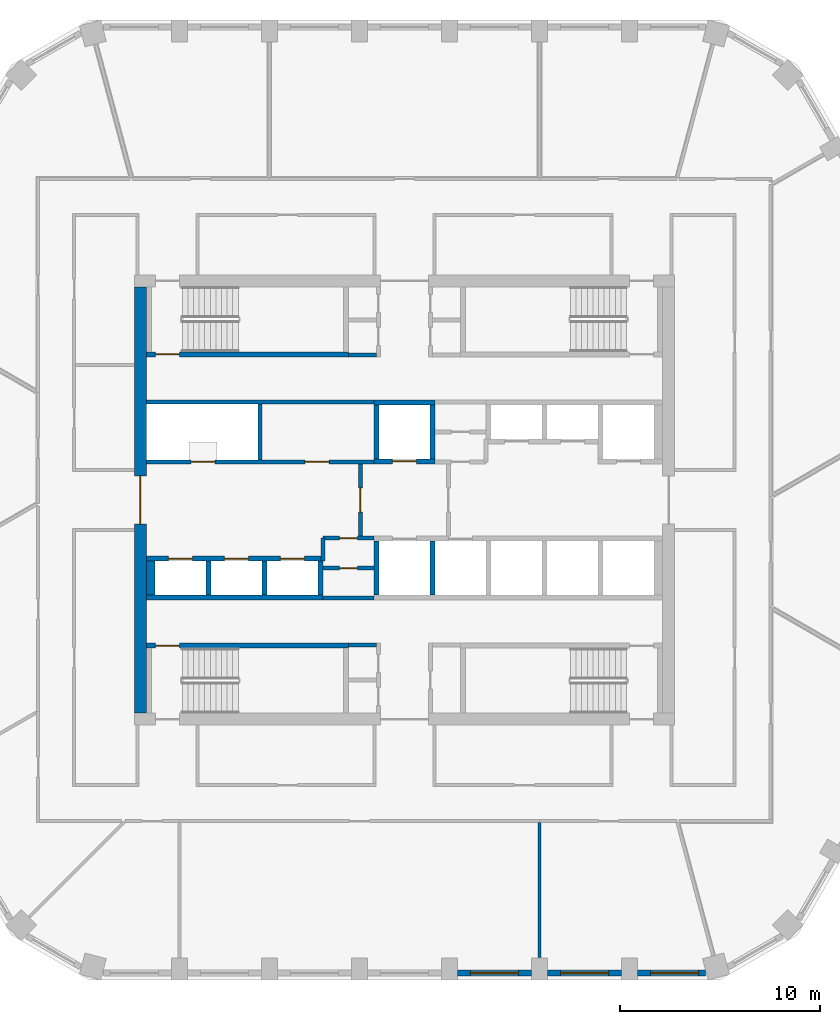
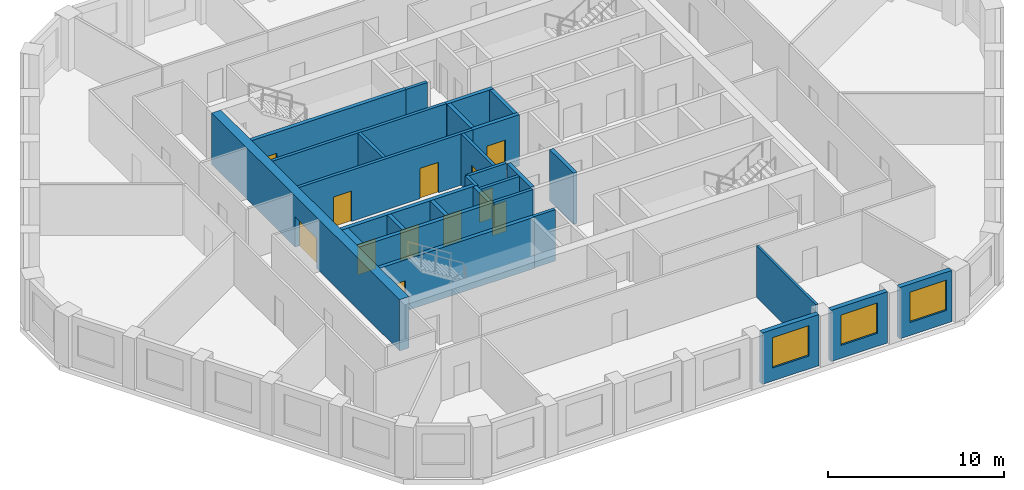
# One storey, part 3 of 13: 29 walls, 12 doors, 3 windows, 15 openings.
"""IFC4 building model written with IfcOpenShell, lengths in metres."""

from ifc_helpers import new_model, si_unit, direction, frame, frame_2d, origin, place, context, subcontext, project, spatial, polyline, rectangle, outline, extrude, material, layer, layer_set, type_object, element, fill, save


model = new_model("IFC4")

# Units and contexts
model_context = context("Model", 3, precision=1e-05, world=origin(), true_north=direction((0.0, 1.0)))
body_context = subcontext(model_context, "Body", "Model", "MODEL_VIEW")
ifc_project = project(units=[si_unit("LENGTHUNIT", "METRE"), si_unit("AREAUNIT", "SQUARE_METRE"), si_unit("VOLUMEUNIT", "CUBIC_METRE"), si_unit("PLANEANGLEUNIT", "RADIAN"), si_unit("MASSUNIT", "GRAM", prefix="KILO")], contexts=[model_context])

# Site, building, storey
site_placement = place(None, origin())
site = spatial("IfcSite", under=ifc_project, at=site_placement, CompositionType="ELEMENT")
building_placement = place(site_placement, origin())
building = spatial("IfcBuilding", under=site, at=building_placement, Name="Dhurran Vertical Campus", CompositionType="ELEMENT")
storey_placement = place(building_placement, frame((0.0, 0.0, 191.699951171875)))
storey = spatial("IfcBuildingStorey", under=building, at=storey_placement, Name="L47", CompositionType="ELEMENT", Elevation=191.699951171875)

# Wall, opening, window
ifc_material_1 = material(Name="Precast concrete C50/60", Category="concrete")
ifc_layer_1 = layer(ifc_material_1, 0.300048828125)
ifc_layer_set_1 = layer_set([ifc_layer_1], Name="Precast concrete C50/60")
wall_type_1 = type_object("IfcWallType", Name="Precast spandrel wall 300", PredefinedType="SOLIDWALL", material=ifc_layer_set_1)
wall_1_placement = place(storey_placement, frame((2.650390625, -23.635498046875, 0.0), z_axis=(0.0, 0.0, 1.0), x_axis=(1.0, 0.0, 0.0)))
wall_1 = element("IfcWall", 1, at=wall_1_placement, inside=storey, type_object=wall_type_1, Name="EW1 L47.04", PredefinedType="SOLIDWALL", context=body_context, shape_type="SweptSolid", body=[
    extrude(rectangle(XDim=3.69921875, YDim=0.300048828125, at=frame_2d((1.849609375, 0.0))), origin(), (0.0, 0.0, 1.0), 3.550048828125),
])
opening_1_placement = place(wall_1_placement, frame((0.6494140625, 0.0, 0.89990234375)))
opening_1 = element("IfcOpeningElement", 2, at=opening_1_placement, cuts=wall_1, Name="Opening WT1", PredefinedType="OPENING", context=body_context, shape_type="SweptSolid", body=[
    extrude(rectangle(XDim=2.39990234375, YDim=2.10009765625, at=frame_2d((1.199951171875, 1.050048828125))), frame((0.0, 0.159912109375, 0.0), z_axis=(0.0, -1.0, 0.0), x_axis=(1.0, 0.0, 0.0)), (0.0, 0.0, 1.0), 0.320068359375),
])
ifc_material_2 = material(Name="Aluminium frame with solar-control glass", Category="aluminium")
window_type = type_object("IfcWindowType", Name="Punched window 2400 x 2100", PartitioningType="SINGLE_PANEL", PredefinedType="WINDOW", material=ifc_material_2)
window_1_placement = place(opening_1_placement, origin())
window_1 = element("IfcWindow", 3, at=window_1_placement, inside=storey, type_object=window_type, Name="WT1 L47.04", OverallHeight=2.10009765625, OverallWidth=2.39990234375, PartitioningType="SINGLE_PANEL", PredefinedType="WINDOW", context=body_context, shape_type="SweptSolid", body=[
    extrude(rectangle(XDim=2.39990234375, YDim=2.10009765625, at=frame_2d((1.199951171875, 1.050048828125))), frame((0.0, 0.030029296875, 0.0), z_axis=(0.0, -1.0, 0.0), x_axis=(1.0, 0.0, 0.0)), (0.0, 0.0, 1.0), 0.06005859375),
])
fill(opening_1, window_1)

wall_2_placement = place(storey_placement, frame((7.150390625, -23.635498046875, 0.0), z_axis=(0.0, 0.0, 1.0), x_axis=(1.0, 0.0, 0.0)))
wall_2 = element("IfcWall", 4, at=wall_2_placement, inside=storey, type_object=wall_type_1, Name="EW1 L47.05", PredefinedType="SOLIDWALL", context=body_context, shape_type="SweptSolid", body=[
    extrude(rectangle(XDim=3.69921875, YDim=0.300048828125, at=frame_2d((1.849609375, 0.0))), origin(), (0.0, 0.0, 1.0), 3.550048828125),
])
opening_2_placement = place(wall_2_placement, frame((0.6494140625, 0.0, 0.89990234375)))
opening_2 = element("IfcOpeningElement", 5, at=opening_2_placement, cuts=wall_2, Name="Opening WT1", PredefinedType="OPENING", context=body_context, shape_type="SweptSolid", body=[
    extrude(rectangle(XDim=2.39990234375, YDim=2.10009765625, at=frame_2d((1.199951171875, 1.050048828125))), frame((0.0, 0.159912109375, 0.0), z_axis=(0.0, -1.0, 0.0), x_axis=(1.0, 0.0, 0.0)), (0.0, 0.0, 1.0), 0.320068359375),
])
window_2_placement = place(opening_2_placement, origin())
window_2 = element("IfcWindow", 6, at=window_2_placement, inside=storey, type_object=window_type, Name="WT1 L47.05", OverallHeight=2.10009765625, OverallWidth=2.39990234375, PartitioningType="SINGLE_PANEL", PredefinedType="WINDOW", context=body_context, shape_type="SweptSolid", body=[
    extrude(rectangle(XDim=2.39990234375, YDim=2.10009765625, at=frame_2d((1.199951171875, 1.050048828125))), frame((0.0, 0.030029296875, 0.0), z_axis=(0.0, -1.0, 0.0), x_axis=(1.0, 0.0, 0.0)), (0.0, 0.0, 1.0), 0.06005859375),
])
fill(opening_2, window_2)

wall_3_placement = place(storey_placement, frame((11.650390625, -23.635498046875, 0.0), z_axis=(0.0, 0.0, 1.0), x_axis=(1.0, 0.0, 0.0)))
wall_3 = element("IfcWall", 7, at=wall_3_placement, inside=storey, type_object=wall_type_1, Name="EW1 L47.06", PredefinedType="SOLIDWALL", context=body_context, shape_type="SweptSolid", body=[
    extrude(rectangle(XDim=3.39599609375, YDim=0.300048828125, at=frame_2d((1.697998046875, 0.0))), origin(), (0.0, 0.0, 1.0), 3.550048828125),
])
opening_3_placement = place(wall_3_placement, frame((0.6494140625, 0.0, 0.89990234375)))
opening_3 = element("IfcOpeningElement", 8, at=opening_3_placement, cuts=wall_3, Name="Opening WT1", PredefinedType="OPENING", context=body_context, shape_type="SweptSolid", body=[
    extrude(rectangle(XDim=2.39990234375, YDim=2.10009765625, at=frame_2d((1.199951171875, 1.050048828125))), frame((0.0, 0.159912109375, 0.0), z_axis=(0.0, -1.0, 0.0), x_axis=(1.0, 0.0, 0.0)), (0.0, 0.0, 1.0), 0.320068359375),
])
window_3_placement = place(opening_3_placement, origin())
window_3 = element("IfcWindow", 9, at=window_3_placement, inside=storey, type_object=window_type, Name="WT1 L47.06", OverallHeight=2.10009765625, OverallWidth=2.39990234375, PartitioningType="SINGLE_PANEL", PredefinedType="WINDOW", context=body_context, shape_type="SweptSolid", body=[
    extrude(rectangle(XDim=2.39990234375, YDim=2.10009765625, at=frame_2d((1.199951171875, 1.050048828125))), frame((0.0, 0.030029296875, 0.0), z_axis=(0.0, -1.0, 0.0), x_axis=(1.0, 0.0, 0.0)), (0.0, 0.0, 1.0), 0.06005859375),
])
fill(opening_3, window_3)

# Wall, opening, door
ifc_material_3 = material(Name="Concrete C50/60", Category="concrete")
ifc_layer_2 = layer(ifc_material_3, 0.60009765625)
ifc_layer_set_2 = layer_set([ifc_layer_2], Name="Concrete C50/60")
wall_type_2 = type_object("IfcWallType", Name="co-CORE-WALL-C2-600", PredefinedType="SHEAR", material=ifc_layer_set_2)
wall_4_placement = place(storey_placement, frame((-13.199951171875, -10.64990234375, 0.0), z_axis=(0.0, 0.0, 1.0), x_axis=(0.0, 1.0, 0.0)))
wall_4 = element("IfcWall", 10, at=wall_4_placement, inside=storey, type_object=wall_type_2, Name="Core wall W L47", PredefinedType="SHEAR", context=body_context, shape_type="SweptSolid", body=[
    extrude(rectangle(XDim=21.2998046875, YDim=0.60009765625, at=frame_2d((10.64990234375, 0.0))), origin(), (0.0, 0.0, 1.0), 3.550048828125),
])
opening_4_placement = place(wall_4_placement, frame((9.449951171875, 0.0, 0.0)))
opening_4 = element("IfcOpeningElement", 11, at=opening_4_placement, cuts=wall_4, Name="Opening CL1", PredefinedType="OPENING", context=body_context, shape_type="SweptSolid", body=[
    extrude(rectangle(XDim=2.39990234375, YDim=2.10009765625, at=frame_2d((1.199951171875, 1.050048828125))), frame((0.0, 0.31005859375, 0.0), z_axis=(0.0, -1.0, 0.0), x_axis=(1.0, 0.0, 0.0)), (0.0, 0.0, 1.0), 0.6201171875),
])
ifc_material_4 = material(Name="Fire-rated glazed door set")
door_type_1 = type_object("IfcDoorType", Name="co-D-LOBBY 2400x2100", OperationType="DOUBLE_DOOR_DOUBLE_SWING", PredefinedType="DOOR", material=ifc_material_4)
door_1_placement = place(opening_4_placement, origin())
door_1 = element("IfcDoor", 12, at=door_1_placement, inside=storey, type_object=door_type_1, Name="Lift lobby door W L47", OperationType="DOUBLE_DOOR_DOUBLE_SWING", OverallHeight=2.10009765625, OverallWidth=2.39990234375, PredefinedType="DOOR", context=body_context, shape_type="SweptSolid", body=[
    extrude(rectangle(XDim=2.39990234375, YDim=2.10009765625, at=frame_2d((1.199951171875, 1.050048828125))), frame((0.0, 0.02490234375, 0.0), z_axis=(0.0, -1.0, 0.0), x_axis=(1.0, 0.0, 0.0)), (0.0, 0.0, 1.0), 0.050048828125),
])
fill(opening_4, door_1)

ifc_material_5 = material(Name="Fire-rated masonry blockwork", Category="masonry")
ifc_layer_3 = layer(ifc_material_5, 0.199951171875)
ifc_layer_set_3 = layer_set([ifc_layer_3], Name="Fire-rated masonry blockwork")
wall_type_3 = type_object("IfcWallType", Name="co-FIRE-PARTITION-200", PredefinedType="PARTITIONING", material=ifc_layer_set_3)
wall_5_placement = place(storey_placement, frame((-2.199951171875, -1.800048828125, 0.0), z_axis=(0.0, 0.0, 1.0), x_axis=(0.0, 1.0, 0.0)))
wall_5 = element("IfcWall", 13, at=wall_5_placement, inside=storey, type_object=wall_type_3, Name="Firefighting lobby wall W L47", PredefinedType="PARTITIONING", context=body_context, shape_type="SweptSolid", body=[
    extrude(rectangle(XDim=3.60009765625, YDim=0.199951171875, at=frame_2d((1.800048828125, 0.0))), origin(), (0.0, 0.0, 1.0), 3.550048828125),
])
opening_5_placement = place(wall_5_placement, frame((1.199951171875, 0.0, 0.0)))
opening_5 = element("IfcOpeningElement", 14, at=opening_5_placement, cuts=wall_5, Name="Opening FL1", PredefinedType="OPENING", context=body_context, shape_type="SweptSolid", body=[
    extrude(rectangle(XDim=1.199951171875, YDim=2.10009765625, at=frame_2d((0.60009765625, 1.050048828125))), frame((0.0, 0.10986328125, 0.0), z_axis=(0.0, -1.0, 0.0), x_axis=(1.0, 0.0, 0.0)), (0.0, 0.0, 1.0), 0.219970703125),
])
ifc_material_6 = material(Name="Fire-rated steel door set", Category="steel")
door_type_2 = type_object("IfcDoorType", Name="co-D-FFLOBBY 1200x2100", OperationType="SINGLE_SWING_LEFT", PredefinedType="DOOR", material=ifc_material_6)
door_2_placement = place(opening_5_placement, origin())
door_2 = element("IfcDoor", 15, at=door_2_placement, inside=storey, type_object=door_type_2, Name="Firefighting lobby door W L47", OperationType="SINGLE_SWING_LEFT", OverallHeight=2.10009765625, OverallWidth=1.199951171875, PredefinedType="DOOR", context=body_context, shape_type="SweptSolid", body=[
    extrude(rectangle(XDim=1.199951171875, YDim=2.10009765625, at=frame_2d((0.60009765625, 1.050048828125))), frame((0.0, 0.02490234375, 0.0), z_axis=(0.0, -1.0, 0.0), x_axis=(1.0, 0.0, 0.0)), (0.0, 0.0, 1.0), 0.050048828125),
])
fill(opening_5, door_2)

# Walls
for number, where, z_axis, x_axis, name in (
    (16, (-2.800048828125, 7.25, 0.0), (0.0, 0.0, 1.0), (1.0, 0.0, 0.0), "Core partition sl-NW-S L47"),
    (17, (-2.800048828125, -7.25, 0.0), (0.0, 0.0, 1.0), (1.0, 0.0, 0.0), "Core partition sl-SW-S L47"),
):
    element("IfcWall", number, at=place(storey_placement, frame(where, z_axis=z_axis, x_axis=x_axis)), inside=storey, type_object=wall_type_3, Name=name, PredefinedType="PARTITIONING", context=body_context, shape_type="SweptSolid", body=[
        extrude(rectangle(XDim=1.400146484375, YDim=0.199951171875, at=frame_2d((0.7001953125, 0.0))), origin(), (0.0, 0.0, 1.0), 3.550048828125),
    ])
wall_6_placement = place(storey_placement, frame((-7.21240234375, 2.0, 0.0), z_axis=(0.0, 0.0, 1.0), x_axis=(0.0, 1.0, 0.0)))
element("IfcWall", 18, at=wall_6_placement, inside=storey, type_object=wall_type_3, Name="Core partition fr-N0-cut0 L47", PredefinedType="PARTITIONING", context=body_context, shape_type="SweptSolid", body=[
    extrude(rectangle(XDim=2.800048828125, YDim=0.199951171875, at=frame_2d((1.39990234375, 0.0))), origin(), (0.0, 0.0, 1.0), 3.550048828125),
])

# Wall, openings, doors
wall_7_placement = place(storey_placement, frame((-12.89990234375, 1.89990234375, 0.0), z_axis=(0.0, 0.0, 1.0), x_axis=(1.0, 0.0, 0.0)))
wall_7 = element("IfcWall", 19, at=wall_7_placement, inside=storey, type_object=wall_type_3, Name="Core partition fr-N0-f L47", PredefinedType="PARTITIONING", context=body_context, shape_type="SweptSolid", body=[
    extrude(rectangle(XDim=11.375, YDim=0.199951171875, at=frame_2d((5.6875, 0.0))), origin(), (0.0, 0.0, 1.0), 3.550048828125),
])
opening_6_placement = place(wall_7_placement, frame((2.243896484375, 0.0, 0.0)))
opening_6 = element("IfcOpeningElement", 20, at=opening_6_placement, cuts=wall_7, Name="Opening T13-C8", PredefinedType="OPENING", context=body_context, shape_type="SweptSolid", body=[
    extrude(rectangle(XDim=1.199951171875, YDim=2.10009765625, at=frame_2d((0.60009765625, 1.050048828125))), frame((0.0, 0.10986328125, 0.0), z_axis=(0.0, -1.0, 0.0), x_axis=(1.0, 0.0, 0.0)), (0.0, 0.0, 1.0), 0.219970703125),
])
opening_7_placement = place(wall_7_placement, frame((7.931396484375, 0.0, 0.0)))
opening_7 = element("IfcOpeningElement", 21, at=opening_7_placement, cuts=wall_7, Name="Opening T13-C9", PredefinedType="OPENING", context=body_context, shape_type="SweptSolid", body=[
    extrude(rectangle(XDim=1.199951171875, YDim=2.10009765625, at=frame_2d((0.60009765625, 1.050048828125))), frame((0.0, 0.10986328125, 0.0), z_axis=(0.0, -1.0, 0.0), x_axis=(1.0, 0.0, 0.0)), (0.0, 0.0, 1.0), 0.219970703125),
])
ifc_material_7 = material(Name="Fire-rated steel door set", Category="steel")
door_type_3 = type_object("IfcDoorType", Name="co-D-ROOM-PASSAGE 1200x2100", OperationType="SINGLE_SWING_RIGHT", PredefinedType="DOOR", material=ifc_material_7)
door_3_placement = place(opening_6_placement, origin())
door_3 = element("IfcDoor", 22, at=door_3_placement, inside=storey, type_object=door_type_3, Name="Electrical riser door L47", OperationType="SINGLE_SWING_RIGHT", OverallHeight=2.10009765625, OverallWidth=1.199951171875, PredefinedType="DOOR", context=body_context, shape_type="SweptSolid", body=[
    extrude(rectangle(XDim=1.199951171875, YDim=2.10009765625, at=frame_2d((0.60009765625, 1.050048828125))), frame((0.0, 0.02490234375, 0.0), z_axis=(0.0, -1.0, 0.0), x_axis=(1.0, 0.0, 0.0)), (0.0, 0.0, 1.0), 0.050048828125),
])
fill(opening_6, door_3)
door_4_placement = place(opening_7_placement, origin())
door_4 = element("IfcDoor", 23, at=door_4_placement, inside=storey, type_object=door_type_3, Name="Server room door L47", OperationType="SINGLE_SWING_RIGHT", OverallHeight=2.10009765625, OverallWidth=1.199951171875, PredefinedType="DOOR", context=body_context, shape_type="SweptSolid", body=[
    extrude(rectangle(XDim=1.199951171875, YDim=2.10009765625, at=frame_2d((0.60009765625, 1.050048828125))), frame((0.0, 0.02490234375, 0.0), z_axis=(0.0, -1.0, 0.0), x_axis=(1.0, 0.0, 0.0)), (0.0, 0.0, 1.0), 0.050048828125),
])
fill(opening_7, door_4)

# Wall
wall_8_placement = place(storey_placement, frame((-12.89990234375, 4.89990234375, 0.0), z_axis=(0.0, 0.0, 1.0), x_axis=(1.0, 0.0, 0.0)))
element("IfcWall", 24, at=wall_8_placement, inside=storey, type_object=wall_type_3, Name="Core partition fr-N0-b L47", PredefinedType="PARTITIONING", context=body_context, shape_type="SweptSolid", body=[
    extrude(rectangle(XDim=11.375, YDim=0.199951171875, at=frame_2d((5.6875, 0.0))), origin(), (0.0, 0.0, 1.0), 3.550048828125),
])

# Wall, opening, door
wall_9_placement = place(storey_placement, frame((-4.074951171875, -3.39990234375, 0.0), z_axis=(0.0, 0.0, 1.0), x_axis=(1.0, 0.0, 0.0)))
wall_9 = element("IfcWall", 25, at=wall_9_placement, inside=storey, type_object=wall_type_3, Name="Core partition fr-S0-c L47", PredefinedType="PARTITIONING", context=body_context, shape_type="SweptSolid", body=[
    extrude(rectangle(XDim=2.550048828125, YDim=0.199951171875, at=frame_2d((1.27490234375, 0.0))), origin(), (0.0, 0.0, 1.0), 3.550048828125),
])
opening_8_placement = place(wall_9_placement, frame((0.824951171875, 0.0, 0.0)))
opening_8 = element("IfcOpeningElement", 26, at=opening_8_placement, cuts=wall_9, Name="Opening T13-C12", PredefinedType="OPENING", context=body_context, shape_type="SweptSolid", body=[
    extrude(rectangle(XDim=0.89990234375, YDim=2.10009765625, at=frame_2d((0.449951171875, 1.050048828125))), frame((0.0, 0.10986328125, 0.0), z_axis=(0.0, -1.0, 0.0), x_axis=(1.0, 0.0, 0.0)), (0.0, 0.0, 1.0), 0.219970703125),
])
ifc_material_8 = material(Name="Fire-rated timber door set", Category="wood")
door_type_4 = type_object("IfcDoorType", Name="co-D-ROOM 900x2100", OperationType="SINGLE_SWING_LEFT", PredefinedType="DOOR", material=ifc_material_8)
door_5_placement = place(opening_8_placement, origin())
door_5 = element("IfcDoor", 27, at=door_5_placement, inside=storey, type_object=door_type_4, Name="Server room door L47", OperationType="SINGLE_SWING_LEFT", OverallHeight=2.10009765625, OverallWidth=0.89990234375, PredefinedType="DOOR", context=body_context, shape_type="SweptSolid", body=[
    extrude(rectangle(XDim=0.89990234375, YDim=2.10009765625, at=frame_2d((0.449951171875, 1.050048828125))), frame((0.0, 0.02490234375, 0.0), z_axis=(0.0, -1.0, 0.0), x_axis=(1.0, 0.0, 0.0)), (0.0, 0.0, 1.0), 0.050048828125),
])
fill(opening_8, door_5)

wall_10_placement = place(storey_placement, frame((-4.074951171875, -1.89990234375, 0.0), z_axis=(0.0, 0.0, 1.0), x_axis=(1.0, 0.0, 0.0)))
wall_10 = element("IfcWall", 28, at=wall_10_placement, inside=storey, type_object=wall_type_3, Name="Core partition fr-S0-f L47", PredefinedType="PARTITIONING", context=body_context, shape_type="SweptSolid", body=[
    extrude(rectangle(XDim=2.550048828125, YDim=0.199951171875, at=frame_2d((1.27490234375, 0.0))), origin(), (0.0, 0.0, 1.0), 3.550048828125),
])
opening_9_placement = place(wall_10_placement, frame((0.824951171875, 0.0, 0.0)))
opening_9 = element("IfcOpeningElement", 29, at=opening_9_placement, cuts=wall_10, Name="Opening T13-C13", PredefinedType="OPENING", context=body_context, shape_type="SweptSolid", body=[
    extrude(rectangle(XDim=0.89990234375, YDim=2.10009765625, at=frame_2d((0.449951171875, 1.050048828125))), frame((0.0, 0.10986328125, 0.0), z_axis=(0.0, -1.0, 0.0), x_axis=(1.0, 0.0, 0.0)), (0.0, 0.0, 1.0), 0.219970703125),
])
door_6_placement = place(opening_9_placement, origin())
door_6 = element("IfcDoor", 30, at=door_6_placement, inside=storey, type_object=door_type_4, Name="Print room door L47", OperationType="SINGLE_SWING_LEFT", OverallHeight=2.10009765625, OverallWidth=0.89990234375, PredefinedType="DOOR", context=body_context, shape_type="SweptSolid", body=[
    extrude(rectangle(XDim=0.89990234375, YDim=2.10009765625, at=frame_2d((0.449951171875, 1.050048828125))), frame((0.0, 0.02490234375, 0.0), z_axis=(0.0, -1.0, 0.0), x_axis=(1.0, 0.0, 0.0)), (0.0, 0.0, 1.0), 0.050048828125),
])
fill(opening_9, door_6)

# Walls
wall_11_placement = place(storey_placement, frame((-4.074951171875, -4.89990234375, 0.0), z_axis=(0.0, 0.0, 1.0), x_axis=(1.0, 0.0, 0.0)))
element("IfcWall", 31, at=wall_11_placement, inside=storey, type_object=wall_type_3, Name="Core partition fr-S0-b L47", PredefinedType="PARTITIONING", context=body_context, shape_type="SweptSolid", body=[
    extrude(rectangle(XDim=2.550048828125, YDim=0.199951171875, at=frame_2d((1.27490234375, 0.0))), origin(), (0.0, 0.0, 1.0), 3.550048828125),
])
wall_12_placement = place(storey_placement, frame((-4.074951171875, -1.89990234375, 0.0), z_axis=(0.0, 0.0, 1.0), x_axis=(0.0, -1.0, 0.0)))
element("IfcWall", 32, at=wall_12_placement, inside=storey, type_object=wall_type_3, Name="Core partition fr-S0-n0 L47", PredefinedType="PARTITIONING", context=body_context, shape_type="SweptSolid", body=[
    extrude(rectangle(XDim=1.150146484375, YDim=0.199951171875, at=frame_2d((0.5751953125, 0.0))), origin(), (0.0, 0.0, 1.0), 3.550048828125),
])

# Wall, opening, door
ifc_material_9 = material(Name="Concrete C50/60", Category="concrete")
ifc_layer_4 = layer(ifc_material_9, 0.25)
ifc_layer_set_4 = layer_set([ifc_layer_4], Name="Concrete C50/60")
wall_type_4 = type_object("IfcWallType", Name="co-SHAFT-FRONT-250", PredefinedType="SHEAR", material=ifc_layer_set_4)
wall_13_placement = place(storey_placement, frame((-1.52490234375, 1.925048828125, 0.0), z_axis=(0.0, 0.0, 1.0), x_axis=(1.0, 0.0, 0.0)))
wall_13 = element("IfcWall", 33, at=wall_13_placement, inside=storey, type_object=wall_type_4, Name="Lift landing wall N L47", PredefinedType="SHEAR", context=body_context, shape_type="SweptSolid", body=[
    extrude(rectangle(XDim=3.0498046875, YDim=0.25, at=frame_2d((1.52490234375, 0.0))), origin(), (0.0, 0.0, 1.0), 3.550048828125),
])
opening_10_placement = place(wall_13_placement, frame((0.925048828125, 0.0, 0.0)))
opening_10 = element("IfcOpeningElement", 34, at=opening_10_placement, cuts=wall_13, Name="Opening LD", PredefinedType="OPENING", context=body_context, shape_type="SweptSolid", body=[
    extrude(rectangle(XDim=1.199951171875, YDim=2.10009765625, at=frame_2d((0.60009765625, 1.050048828125))), frame((0.0, 0.135009765625, 0.0), z_axis=(0.0, -1.0, 0.0), x_axis=(1.0, 0.0, 0.0)), (0.0, 0.0, 1.0), 0.27001953125),
])
ifc_material_10 = material(Name="Stainless steel landing door", Category="steel")
door_type_5 = type_object("IfcDoorType", Name="co-D-LANDING 1200x2100", OperationType="DOUBLE_DOOR_SLIDING", PredefinedType="DOOR", material=ifc_material_10)
door_7_placement = place(opening_10_placement, origin())
door_7 = element("IfcDoor", 35, at=door_7_placement, inside=storey, type_object=door_type_5, Name="Landing door FF1 L47", OperationType="DOUBLE_DOOR_SLIDING", OverallHeight=2.10009765625, OverallWidth=1.199951171875, PredefinedType="DOOR", context=body_context, shape_type="SweptSolid", body=[
    extrude(rectangle(XDim=1.199951171875, YDim=2.10009765625, at=frame_2d((0.60009765625, 1.050048828125))), frame((0.0, 0.02490234375, 0.0), z_axis=(0.0, -1.0, 0.0), x_axis=(1.0, 0.0, 0.0)), (0.0, 0.0, 1.0), 0.050048828125),
])
fill(opening_10, door_7)

# Wall, openings, doors
wall_14_placement = place(storey_placement, frame((-12.89990234375, -2.925048828125, 0.0), z_axis=(0.0, 0.0, 1.0), x_axis=(1.0, 0.0, 0.0)))
wall_14 = element("IfcWall", 36, at=wall_14_placement, inside=storey, type_object=wall_type_4, Name="Lift landing wall S L47", PredefinedType="SHEAR", context=body_context, shape_type="SweptSolid", body=[
    extrude(rectangle(XDim=8.824951171875, YDim=0.25, at=frame_2d((4.41259765625, 0.0))), origin(), (0.0, 0.0, 1.0), 3.550048828125),
])
opening_11_placement = place(wall_14_placement, frame((1.10009765625, 0.0, 0.0)))
opening_11 = element("IfcOpeningElement", 37, at=opening_11_placement, cuts=wall_14, Name="Opening LD", PredefinedType="OPENING", context=body_context, shape_type="SweptSolid", body=[
    extrude(rectangle(XDim=1.199951171875, YDim=2.10009765625, at=frame_2d((0.60009765625, 1.050048828125))), frame((0.0, 0.135009765625, 0.0), z_axis=(0.0, -1.0, 0.0), x_axis=(1.0, 0.0, 0.0)), (0.0, 0.0, 1.0), 0.27001953125),
])
opening_12_placement = place(wall_14_placement, frame((3.89990234375, 0.0, 0.0)))
opening_12 = element("IfcOpeningElement", 38, at=opening_12_placement, cuts=wall_14, Name="Opening LD", PredefinedType="OPENING", context=body_context, shape_type="SweptSolid", body=[
    extrude(rectangle(XDim=1.199951171875, YDim=2.10009765625, at=frame_2d((0.60009765625, 1.050048828125))), frame((0.0, 0.135009765625, 0.0), z_axis=(0.0, -1.0, 0.0), x_axis=(1.0, 0.0, 0.0)), (0.0, 0.0, 1.0), 0.27001953125),
])
opening_13_placement = place(wall_14_placement, frame((6.699951171875, 0.0, 0.0)))
opening_13 = element("IfcOpeningElement", 39, at=opening_13_placement, cuts=wall_14, Name="Opening LD", PredefinedType="OPENING", context=body_context, shape_type="SweptSolid", body=[
    extrude(rectangle(XDim=1.199951171875, YDim=2.10009765625, at=frame_2d((0.60009765625, 1.050048828125))), frame((0.0, 0.135009765625, 0.0), z_axis=(0.0, -1.0, 0.0), x_axis=(1.0, 0.0, 0.0)), (0.0, 0.0, 1.0), 0.27001953125),
])
door_8_placement = place(opening_11_placement, origin())
door_8 = element("IfcDoor", 40, at=door_8_placement, inside=storey, type_object=door_type_5, Name="Landing door MR3 L47", OperationType="DOUBLE_DOOR_SLIDING", OverallHeight=2.10009765625, OverallWidth=1.199951171875, PredefinedType="DOOR", context=body_context, shape_type="SweptSolid", body=[
    extrude(rectangle(XDim=1.199951171875, YDim=2.10009765625, at=frame_2d((0.60009765625, 1.050048828125))), frame((0.0, 0.02490234375, 0.0), z_axis=(0.0, -1.0, 0.0), x_axis=(1.0, 0.0, 0.0)), (0.0, 0.0, 1.0), 0.050048828125),
])
fill(opening_11, door_8)
door_9_placement = place(opening_12_placement, origin())
door_9 = element("IfcDoor", 41, at=door_9_placement, inside=storey, type_object=door_type_5, Name="Landing door MR4 L47", OperationType="DOUBLE_DOOR_SLIDING", OverallHeight=2.10009765625, OverallWidth=1.199951171875, PredefinedType="DOOR", context=body_context, shape_type="SweptSolid", body=[
    extrude(rectangle(XDim=1.199951171875, YDim=2.10009765625, at=frame_2d((0.60009765625, 1.050048828125))), frame((0.0, 0.02490234375, 0.0), z_axis=(0.0, -1.0, 0.0), x_axis=(1.0, 0.0, 0.0)), (0.0, 0.0, 1.0), 0.050048828125),
])
fill(opening_12, door_9)
door_10_placement = place(opening_13_placement, origin())
door_10 = element("IfcDoor", 42, at=door_10_placement, inside=storey, type_object=door_type_5, Name="Landing door MR5 L47", OperationType="DOUBLE_DOOR_SLIDING", OverallHeight=2.10009765625, OverallWidth=1.199951171875, PredefinedType="DOOR", context=body_context, shape_type="SweptSolid", body=[
    extrude(rectangle(XDim=1.199951171875, YDim=2.10009765625, at=frame_2d((0.60009765625, 1.050048828125))), frame((0.0, 0.02490234375, 0.0), z_axis=(0.0, -1.0, 0.0), x_axis=(1.0, 0.0, 0.0)), (0.0, 0.0, 1.0), 0.050048828125),
])
fill(opening_13, door_10)

# Walls
ifc_material_11 = material(Name="Concrete C50/60", Category="concrete")
ifc_layer_5 = layer(ifc_material_11, 0.25)
ifc_layer_set_5 = layer_set([ifc_layer_5], Name="Concrete C50/60")
wall_type_5 = type_object("IfcWallType", Name="co-SHAFT-MASS-250", PredefinedType="SHEAR", material=ifc_layer_set_5)
wall_15_placement = place(storey_placement, origin())
element("IfcWall", 43, at=wall_15_placement, inside=storey, type_object=wall_type_5, Name="Lift shaft wall N L47 1", PredefinedType="SHEAR", context=body_context, shape_type="SweptSolid", body=[
    extrude(outline(polyline([(-1.52490234375, 4.75), (1.52490234375, 4.75), (1.52490234375, 5.0), (-1.52490234375, 5.0), (-1.52490234375, 4.75)])), origin(), (0.0, 0.0, 1.0), 3.550048828125),
])
wall_16_placement = place(storey_placement, origin())
element("IfcWall", 44, at=wall_16_placement, inside=storey, type_object=wall_type_5, Name="Lift shaft wall N L47 3", PredefinedType="SHEAR", context=body_context, shape_type="SweptSolid", body=[
    extrude(outline(polyline([(-1.52490234375, 2.050048828125), (-1.27490234375, 2.050048828125), (-1.27490234375, 4.75), (-1.52490234375, 4.75), (-1.52490234375, 2.050048828125)])), origin(), (0.0, 0.0, 1.0), 3.550048828125),
])
wall_17_placement = place(storey_placement, origin())
element("IfcWall", 45, at=wall_17_placement, inside=storey, type_object=wall_type_5, Name="Lift shaft wall N L47 4", PredefinedType="SHEAR", context=body_context, shape_type="SweptSolid", body=[
    extrude(outline(polyline([(1.27490234375, 2.050048828125), (1.52490234375, 2.050048828125), (1.52490234375, 4.75), (1.27490234375, 4.75), (1.27490234375, 2.050048828125)])), origin(), (0.0, 0.0, 1.0), 3.550048828125),
])
wall_18_placement = place(storey_placement, origin())
element("IfcWall", 46, at=wall_18_placement, inside=storey, type_object=wall_type_5, Name="Lift shaft wall S L47 1", PredefinedType="SHEAR", context=body_context, shape_type="SweptSolid", body=[
    extrude(outline(polyline([(-12.89990234375, -5.0), (-4.074951171875, -5.0), (-4.074951171875, -4.75), (-12.89990234375, -4.75), (-12.89990234375, -5.0)])), origin(), (0.0, 0.0, 1.0), 3.550048828125),
])
wall_19_placement = place(storey_placement, origin())
element("IfcWall", 47, at=wall_19_placement, inside=storey, type_object=wall_type_5, Name="Lift shaft wall S L47 3", PredefinedType="SHEAR", context=body_context, shape_type="SweptSolid", body=[
    extrude(outline(polyline([(-12.89990234375, -4.75), (-12.47509765625, -4.75), (-12.47509765625, -3.050048828125), (-12.89990234375, -3.050048828125), (-12.89990234375, -4.75)])), origin(), (0.0, 0.0, 1.0), 3.550048828125),
])
wall_20_placement = place(storey_placement, origin())
element("IfcWall", 48, at=wall_20_placement, inside=storey, type_object=wall_type_5, Name="Lift shaft wall S L47 4", PredefinedType="SHEAR", context=body_context, shape_type="SweptSolid", body=[
    extrude(outline(polyline([(-9.925048828125, -4.75), (-9.675048828125, -4.75), (-9.675048828125, -3.050048828125), (-9.925048828125, -3.050048828125), (-9.925048828125, -4.75)])), origin(), (0.0, 0.0, 1.0), 3.550048828125),
])
wall_21_placement = place(storey_placement, origin())
element("IfcWall", 49, at=wall_21_placement, inside=storey, type_object=wall_type_5, Name="Lift shaft wall S L47 5", PredefinedType="SHEAR", context=body_context, shape_type="SweptSolid", body=[
    extrude(outline(polyline([(-7.125, -4.75), (-6.875, -4.75), (-6.875, -3.050048828125), (-7.125, -3.050048828125), (-7.125, -4.75)])), origin(), (0.0, 0.0, 1.0), 3.550048828125),
])
wall_22_placement = place(storey_placement, origin())
element("IfcWall", 50, at=wall_22_placement, inside=storey, type_object=wall_type_5, Name="Lift shaft wall S L47 6", PredefinedType="SHEAR", context=body_context, shape_type="SweptSolid", body=[
    extrude(outline(polyline([(-4.324951171875, -4.75), (-4.074951171875, -4.75), (-4.074951171875, -3.050048828125), (-4.324951171875, -3.050048828125), (-4.324951171875, -4.75)])), origin(), (0.0, 0.0, 1.0), 3.550048828125),
])
wall_23_placement = place(storey_placement, origin())
element("IfcWall", 51, at=wall_23_placement, inside=storey, type_object=wall_type_5, Name="Lift shaft wall S L47 7", PredefinedType="SHEAR", context=body_context, shape_type="SweptSolid", body=[
    extrude(outline(polyline([(-1.52490234375, -4.75), (-1.27490234375, -4.75), (-1.27490234375, -2.050048828125), (-1.52490234375, -2.050048828125), (-1.52490234375, -4.75)])), origin(), (0.0, 0.0, 1.0), 3.550048828125),
])
wall_24_placement = place(storey_placement, origin())
element("IfcWall", 52, at=wall_24_placement, inside=storey, type_object=wall_type_5, Name="Lift shaft wall S L47 8", PredefinedType="SHEAR", context=body_context, shape_type="SweptSolid", body=[
    extrude(outline(polyline([(1.27490234375, -4.75), (1.52490234375, -4.75), (1.52490234375, -2.050048828125), (1.27490234375, -2.050048828125), (1.27490234375, -4.75)])), origin(), (0.0, 0.0, 1.0), 3.550048828125),
])

# Wall, opening, door
ifc_material_12 = material(Name="Concrete C40/50", Category="concrete")
ifc_layer_6 = layer(ifc_material_12, 0.25)
ifc_layer_set_6 = layer_set([ifc_layer_6], Name="Concrete C40/50")
wall_type_6 = type_object("IfcWallType", Name="co-STAIR-WALL-250", PredefinedType="SHEAR", material=ifc_layer_set_6)
wall_25_placement = place(storey_placement, frame((-12.89990234375, 7.27490234375, 0.0), z_axis=(0.0, 0.0, 1.0), x_axis=(1.0, 0.0, 0.0)))
wall_25 = element("IfcWall", 53, at=wall_25_placement, inside=storey, type_object=wall_type_6, Name="Stair ST1 enclosure wall L47", PredefinedType="SHEAR", context=body_context, shape_type="SweptSolid", body=[
    extrude(rectangle(XDim=10.099853515625, YDim=0.25, at=frame_2d((5.0498046875, 0.0))), origin(), (0.0, 0.0, 1.0), 3.550048828125),
])
opening_14_placement = place(wall_25_placement, frame((0.449951171875, 0.0, 0.0)))
opening_14 = element("IfcOpeningElement", 54, at=opening_14_placement, cuts=wall_25, Name="Opening SD1", PredefinedType="OPENING", context=body_context, shape_type="SweptSolid", body=[
    extrude(rectangle(XDim=1.199951171875, YDim=2.10009765625, at=frame_2d((0.60009765625, 1.050048828125))), frame((0.0, 0.135009765625, 0.0), z_axis=(0.0, -1.0, 0.0), x_axis=(1.0, 0.0, 0.0)), (0.0, 0.0, 1.0), 0.27001953125),
])
ifc_material_13 = material(Name="Fire-rated steel door set", Category="steel")
door_type_6 = type_object("IfcDoorType", Name="co-D-STAIR 1200x2100", OperationType="SINGLE_SWING_LEFT", PredefinedType="DOOR", material=ifc_material_13)
door_11_placement = place(opening_14_placement, origin())
door_11 = element("IfcDoor", 55, at=door_11_placement, inside=storey, type_object=door_type_6, Name="Stair ST1 door L47", OperationType="SINGLE_SWING_LEFT", OverallHeight=2.10009765625, OverallWidth=1.199951171875, PredefinedType="DOOR", context=body_context, shape_type="SweptSolid", body=[
    extrude(rectangle(XDim=1.199951171875, YDim=2.10009765625, at=frame_2d((0.60009765625, 1.050048828125))), frame((0.0, 0.02490234375, 0.0), z_axis=(0.0, -1.0, 0.0), x_axis=(1.0, 0.0, 0.0)), (0.0, 0.0, 1.0), 0.050048828125),
])
fill(opening_14, door_11)

wall_26_placement = place(storey_placement, frame((-12.89990234375, -7.27490234375, 0.0), z_axis=(0.0, 0.0, 1.0), x_axis=(1.0, 0.0, 0.0)))
wall_26 = element("IfcWall", 56, at=wall_26_placement, inside=storey, type_object=wall_type_6, Name="Stair ST3 enclosure wall L47", PredefinedType="SHEAR", context=body_context, shape_type="SweptSolid", body=[
    extrude(rectangle(XDim=10.099853515625, YDim=0.25, at=frame_2d((5.0498046875, 0.0))), origin(), (0.0, 0.0, 1.0), 3.550048828125),
])
opening_15_placement = place(wall_26_placement, frame((0.449951171875, 0.0, 0.0)))
opening_15 = element("IfcOpeningElement", 57, at=opening_15_placement, cuts=wall_26, Name="Opening SD3", PredefinedType="OPENING", context=body_context, shape_type="SweptSolid", body=[
    extrude(rectangle(XDim=1.199951171875, YDim=2.10009765625, at=frame_2d((0.60009765625, 1.050048828125))), frame((0.0, 0.135009765625, 0.0), z_axis=(0.0, -1.0, 0.0), x_axis=(1.0, 0.0, 0.0)), (0.0, 0.0, 1.0), 0.27001953125),
])
door_12_placement = place(opening_15_placement, origin())
door_12 = element("IfcDoor", 58, at=door_12_placement, inside=storey, type_object=door_type_6, Name="Stair ST3 door L47", OperationType="SINGLE_SWING_LEFT", OverallHeight=2.10009765625, OverallWidth=1.199951171875, PredefinedType="DOOR", context=body_context, shape_type="SweptSolid", body=[
    extrude(rectangle(XDim=1.199951171875, YDim=2.10009765625, at=frame_2d((0.60009765625, 1.050048828125))), frame((0.0, 0.02490234375, 0.0), z_axis=(0.0, -1.0, 0.0), x_axis=(1.0, 0.0, 0.0)), (0.0, 0.0, 1.0), 0.050048828125),
])
fill(opening_15, door_12)

# Wall
ifc_material_14 = material(Name="Gypsum board partition on steel studs", Category="steel")
ifc_layer_7 = layer(ifc_material_14, 0.14990234375)
ifc_layer_set_7 = layer_set([ifc_layer_7], Name="Gypsum board partition on steel studs")
wall_type_7 = type_object("IfcWallType", Name="fl-PW-150 fixed partition", PredefinedType="PARTITIONING", material=ifc_layer_set_7)
wall_27_placement = place(storey_placement, frame((6.75, -16.125, 0.0), z_axis=(0.0, 0.0, 1.0), x_axis=(0.0, -1.0, 0.0)))
element("IfcWall", 59, at=wall_27_placement, inside=storey, type_object=wall_type_7, Name="Partition 47-38", PredefinedType="PARTITIONING", context=body_context, shape_type="SweptSolid", body=[
    extrude(rectangle(XDim=6.740478515625, YDim=0.14990234375, at=frame_2d((3.3701171875, 0.0))), origin(), (0.0, 0.0, 1.0), 3.550048828125),
])

save(model, "model.ifc")
